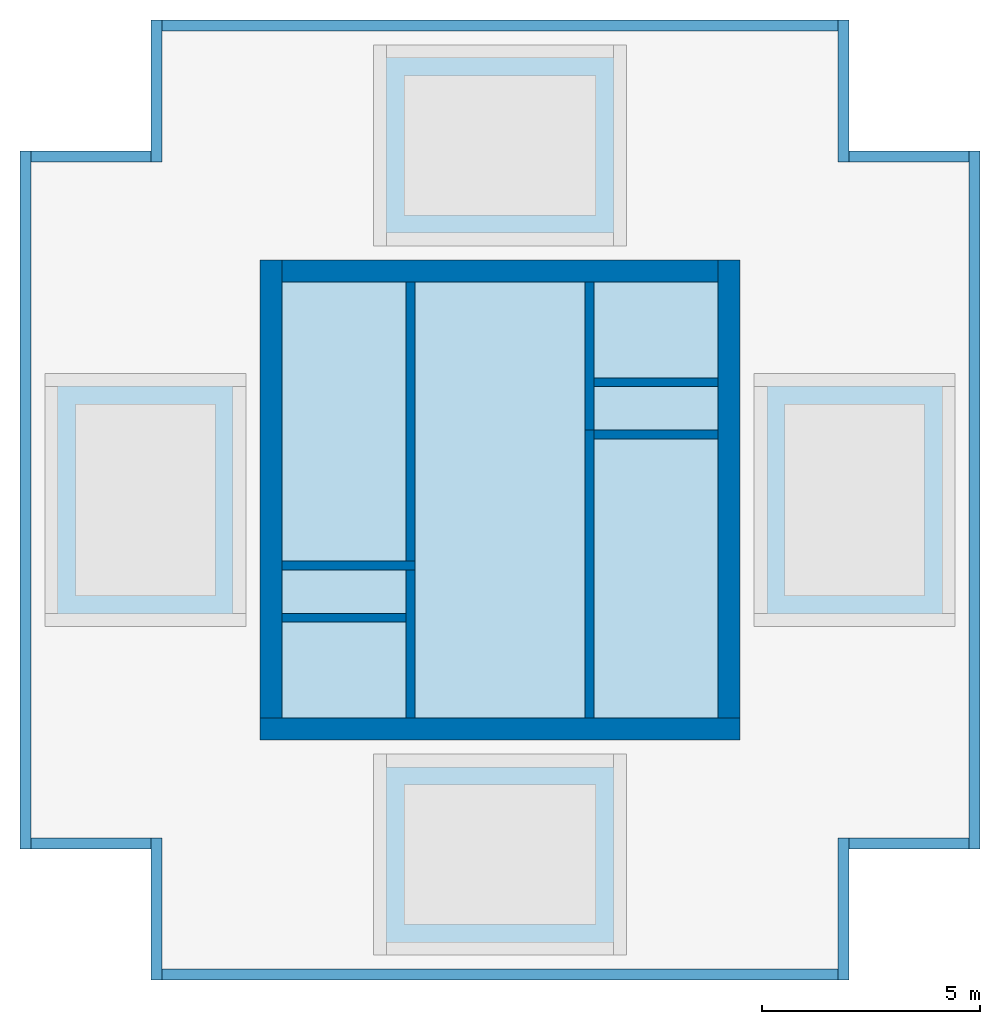
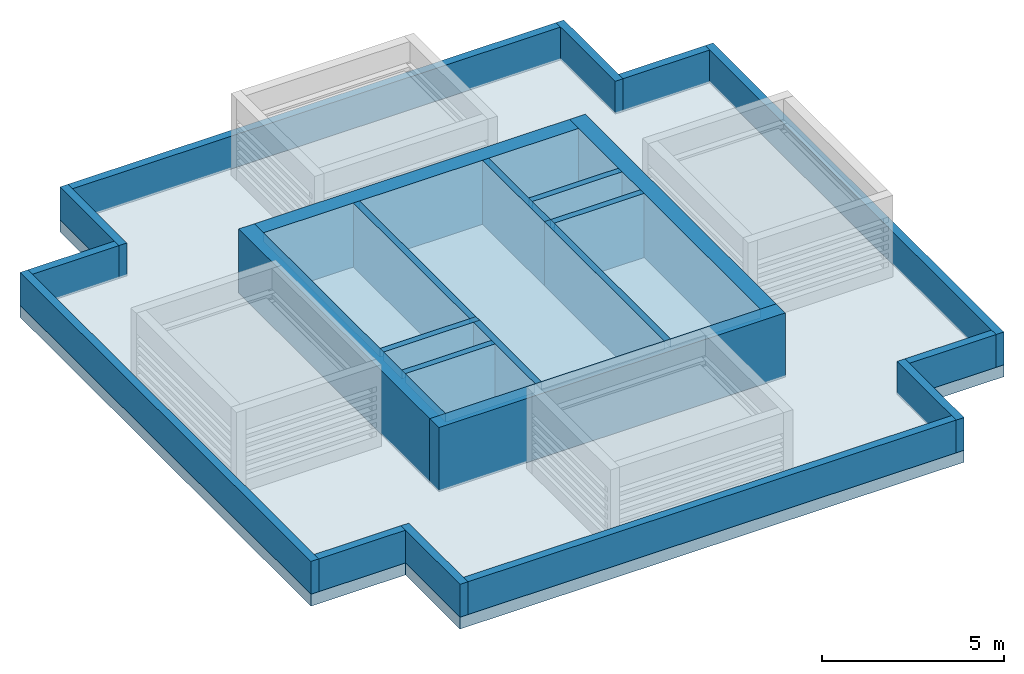
# One storey, part 1 of 3: 24 walls, 8 slabs.
"""IFC4 building model written with IfcOpenShell, lengths in metres."""

from ifc_helpers import new_model, si_unit, direction, frame, frame_2d, origin, place, context, subcontext, project, spatial, polyline, rectangle, outline, extrude, material, layer, layer_set, type_object, element, save


model = new_model("IFC4")

# Units and contexts
model_context = context("Model", 3, precision=1e-05, world=origin(), true_north=direction((0.0, 1.0)))
body_context = subcontext(model_context, "Body", "Model", "MODEL_VIEW")
ifc_project = project(units=[si_unit("LENGTHUNIT", "METRE"), si_unit("AREAUNIT", "SQUARE_METRE"), si_unit("VOLUMEUNIT", "CUBIC_METRE"), si_unit("PLANEANGLEUNIT", "RADIAN"), si_unit("MASSUNIT", "GRAM", prefix="KILO")], contexts=[model_context])

# Site, building, storey
site_placement = place(None, origin())
site = spatial("IfcSite", under=ifc_project, at=site_placement, CompositionType="ELEMENT")
building_placement = place(site_placement, origin())
building = spatial("IfcBuilding", under=site, at=building_placement, Name="Khepri Terraces", CompositionType="ELEMENT")
storey_placement = place(building_placement, frame((0.0, 0.0, 321.60009765625)))
storey = spatial("IfcBuildingStorey", under=building, at=storey_placement, Name="RF", CompositionType="ELEMENT", Elevation=321.60009765625)

# Slabs
ifc_material_1 = material(Name="Concrete C40/50", Category="concrete")
ifc_layer_1 = layer(ifc_material_1, 0.39990234375, Name="Concrete C40/50", Category="concrete")
ifc_layer_set_1 = layer_set([ifc_layer_1], Name="Concrete C40/50")
slab_type_1 = type_object("IfcSlabType", Name="Roof slab 400", PredefinedType="ROOF", material=ifc_layer_set_1)
slab_1_placement = place(storey_placement, frame((0.0, 0.0, -0.400146484375)))
element("IfcSlab", 1, at=slab_1_placement, inside=storey, type_object=slab_type_1, Name="Floor slab F01 RF", PredefinedType="ROOF", context=body_context, shape_type="SweptSolid", body=[
    extrude(outline(polyline([(8.0, -11.0), (-8.0, -11.0), (-8.0, -8.0), (-11.0, -8.0), (-11.0, 8.0), (-8.0, 8.0), (-8.0, 11.0), (8.0, 11.0), (8.0, 8.0), (11.0, 8.0), (11.0, -8.0), (8.0, -8.0), (8.0, -11.0)]), holes=[polyline([(2.14990234375, 5.0), (2.14990234375, 2.800048828125), (5.0, 2.800048828125), (5.0, 5.0), (2.14990234375, 5.0)]), polyline([(-2.14990234375, -2.800048828125), (-5.0, -2.800048828125), (-5.0, -5.0), (-2.14990234375, -5.0), (-2.14990234375, -2.800048828125)])]), origin(), (0.0, 0.0, 1.0), 0.400146484375),
])
ifc_material_2 = material(Name="Precast concrete C50/60 warm stone", Category="masonry")
ifc_layer_2 = layer(ifc_material_2, 0.300048828125, Name="Precast concrete C50/60 warm stone", Category="masonry")
ifc_layer_set_2 = layer_set([ifc_layer_2], Name="Precast concrete C50/60 warm stone")
slab_type_2 = type_object("IfcSlabType", Name="SLB-ROOF-CAP-300", PredefinedType="ROOF", material=ifc_layer_set_2)
slab_2_placement = place(storey_placement, frame((0.0, 0.0, 1.849853515625)))
element("IfcSlab", 2, at=slab_2_placement, inside=storey, type_object=slab_type_2, Name="Core head-house roof slab", PredefinedType="ROOF", context=body_context, shape_type="SweptSolid", body=[
    extrude(outline(polyline([(2.14990234375, -5.0), (5.0, -5.0), (5.0, 1.39990234375), (2.14990234375, 1.39990234375), (2.14990234375, -5.0)])), origin(), (0.0, 0.0, 1.0), 0.300048828125),
])
slab_3_placement = place(storey_placement, frame((0.0, 0.0, 1.849853515625)))
element("IfcSlab", 3, at=slab_3_placement, inside=storey, type_object=slab_type_2, Name="Core head-house roof slab", PredefinedType="ROOF", context=body_context, shape_type="SweptSolid", body=[
    extrude(outline(polyline([(5.0, 1.60009765625), (5.0, 2.60009765625), (2.14990234375, 2.60009765625), (2.14990234375, 1.60009765625), (5.0, 1.60009765625)])), origin(), (0.0, 0.0, 1.0), 0.300048828125),
])
slab_4_placement = place(storey_placement, frame((0.0, 0.0, 1.849853515625)))
element("IfcSlab", 4, at=slab_4_placement, inside=storey, type_object=slab_type_2, Name="Core head-house roof slab", PredefinedType="ROOF", context=body_context, shape_type="SweptSolid", body=[
    extrude(outline(polyline([(5.0, 5.0), (2.14990234375, 5.0), (2.14990234375, 2.800048828125), (5.0, 2.800048828125), (5.0, 5.0)])), origin(), (0.0, 0.0, 1.0), 0.300048828125),
])
slab_5_placement = place(storey_placement, frame((0.0, 0.0, 1.849853515625)))
element("IfcSlab", 5, at=slab_5_placement, inside=storey, type_object=slab_type_2, Name="Core head-house roof slab", PredefinedType="ROOF", context=body_context, shape_type="SweptSolid", body=[
    extrude(outline(polyline([(-1.949951171875, -5.0), (1.949951171875, -5.0), (1.949951171875, 5.0), (-1.949951171875, 5.0), (-1.949951171875, -5.0)])), origin(), (0.0, 0.0, 1.0), 0.300048828125),
])
slab_6_placement = place(storey_placement, frame((0.0, 0.0, 1.849853515625)))
element("IfcSlab", 6, at=slab_6_placement, inside=storey, type_object=slab_type_2, Name="Core head-house roof slab", PredefinedType="ROOF", context=body_context, shape_type="SweptSolid", body=[
    extrude(outline(polyline([(-5.0, 5.0), (-5.0, -1.39990234375), (-2.14990234375, -1.39990234375), (-2.14990234375, 5.0), (-5.0, 5.0)])), origin(), (0.0, 0.0, 1.0), 0.300048828125),
])
slab_7_placement = place(storey_placement, frame((0.0, 0.0, 1.849853515625)))
element("IfcSlab", 7, at=slab_7_placement, inside=storey, type_object=slab_type_2, Name="Core head-house roof slab", PredefinedType="ROOF", context=body_context, shape_type="SweptSolid", body=[
    extrude(outline(polyline([(-2.14990234375, -5.0), (-2.14990234375, -2.800048828125), (-5.0, -2.800048828125), (-5.0, -5.0), (-2.14990234375, -5.0)])), origin(), (0.0, 0.0, 1.0), 0.300048828125),
])
slab_8_placement = place(storey_placement, frame((0.0, 0.0, 1.849853515625)))
element("IfcSlab", 8, at=slab_8_placement, inside=storey, type_object=slab_type_2, Name="Core head-house roof slab", PredefinedType="ROOF", context=body_context, shape_type="SweptSolid", body=[
    extrude(outline(polyline([(-2.14990234375, -2.60009765625), (-2.14990234375, -1.60009765625), (-5.0, -1.60009765625), (-5.0, -2.60009765625), (-2.14990234375, -2.60009765625)])), origin(), (0.0, 0.0, 1.0), 0.300048828125),
])

# Walls
ifc_layer_3 = layer(ifc_material_1, 0.199951171875, Name="Concrete C40/50", Category="concrete")
ifc_layer_set_3 = layer_set([ifc_layer_3], Name="Concrete C40/50")
wall_type_1 = type_object("IfcWallType", Name="Core wall 200 C40/50", PredefinedType="SHEAR", material=ifc_layer_set_3)
wall_1_placement = place(storey_placement, frame((2.050048828125, -5.0, 0.0), z_axis=(0.0, 0.0, 1.0), x_axis=(0.0, 1.0, 0.0)))
element("IfcWall", 9, at=wall_1_placement, inside=storey, type_object=wall_type_1, Name="Core wall ST01 RF", PredefinedType="SHEAR", context=body_context, shape_type="SweptSolid", body=[
    extrude(rectangle(XDim=6.60009765625, YDim=0.199951171875, at=frame_2d((3.300048828125, 0.0))), origin(), (0.0, 0.0, 1.0), 2.14990234375),
])
wall_2_placement = place(storey_placement, frame((-5.0, -1.5, 0.0), z_axis=(0.0, 0.0, 1.0), x_axis=(1.0, 0.0, 0.0)))
element("IfcWall", 10, at=wall_2_placement, inside=storey, type_object=wall_type_1, Name="Core wall ST02 RF", PredefinedType="SHEAR", context=body_context, shape_type="SweptSolid", body=[
    extrude(rectangle(XDim=3.050048828125, YDim=0.199951171875, at=frame_2d((1.52490234375, 0.0))), origin(), (0.0, 0.0, 1.0), 2.14990234375),
])
wall_3_placement = place(storey_placement, frame((-2.050048828125, -1.39990234375, 0.0), z_axis=(0.0, 0.0, 1.0), x_axis=(0.0, 1.0, 0.0)))
element("IfcWall", 11, at=wall_3_placement, inside=storey, type_object=wall_type_1, Name="Core wall ST03 RF", PredefinedType="SHEAR", context=body_context, shape_type="SweptSolid", body=[
    extrude(rectangle(XDim=6.39990234375, YDim=0.199951171875, at=frame_2d((3.199951171875, 0.0))), origin(), (0.0, 0.0, 1.0), 2.14990234375),
])
wall_4_placement = place(storey_placement, frame((2.14990234375, 1.5, 0.0), z_axis=(0.0, 0.0, 1.0), x_axis=(1.0, 0.0, 0.0)))
element("IfcWall", 12, at=wall_4_placement, inside=storey, type_object=wall_type_1, Name="Core wall ST04 RF", PredefinedType="SHEAR", context=body_context, shape_type="SweptSolid", body=[
    extrude(rectangle(XDim=2.85009765625, YDim=0.199951171875, at=frame_2d((1.425048828125, 0.0))), origin(), (0.0, 0.0, 1.0), 2.14990234375),
])
wall_5_placement = place(storey_placement, frame((-2.050048828125, -5.0, 0.0), z_axis=(0.0, 0.0, 1.0), x_axis=(0.0, 1.0, 0.0)))
element("IfcWall", 13, at=wall_5_placement, inside=storey, type_object=wall_type_1, Name="Core wall SH01 RF", PredefinedType="SHEAR", context=body_context, shape_type="SweptSolid", body=[
    extrude(rectangle(XDim=3.39990234375, YDim=0.199951171875, at=frame_2d((1.699951171875, 0.0))), origin(), (0.0, 0.0, 1.0), 2.14990234375),
])
wall_6_placement = place(storey_placement, frame((-5.0, -2.699951171875, 0.0), z_axis=(0.0, 0.0, 1.0), x_axis=(1.0, 0.0, 0.0)))
element("IfcWall", 14, at=wall_6_placement, inside=storey, type_object=wall_type_1, Name="Core wall SH02 RF", PredefinedType="SHEAR", context=body_context, shape_type="SweptSolid", body=[
    extrude(rectangle(XDim=2.85009765625, YDim=0.199951171875, at=frame_2d((1.425048828125, 0.0))), origin(), (0.0, 0.0, 1.0), 2.14990234375),
])
wall_7_placement = place(storey_placement, frame((2.050048828125, 1.60009765625, 0.0), z_axis=(0.0, 0.0, 1.0), x_axis=(0.0, 1.0, 0.0)))
element("IfcWall", 15, at=wall_7_placement, inside=storey, type_object=wall_type_1, Name="Core wall SH03 RF", PredefinedType="SHEAR", context=body_context, shape_type="SweptSolid", body=[
    extrude(rectangle(XDim=3.39990234375, YDim=0.199951171875, at=frame_2d((1.699951171875, 0.0))), origin(), (0.0, 0.0, 1.0), 2.14990234375),
])
wall_8_placement = place(storey_placement, frame((2.14990234375, 2.699951171875, 0.0), z_axis=(0.0, 0.0, 1.0), x_axis=(1.0, 0.0, 0.0)))
element("IfcWall", 16, at=wall_8_placement, inside=storey, type_object=wall_type_1, Name="Core wall SH04 RF", PredefinedType="SHEAR", context=body_context, shape_type="SweptSolid", body=[
    extrude(rectangle(XDim=2.85009765625, YDim=0.199951171875, at=frame_2d((1.425048828125, 0.0))), origin(), (0.0, 0.0, 1.0), 2.14990234375),
])
ifc_layer_4 = layer(ifc_material_1, 0.5, Name="Concrete C40/50", Category="concrete")
ifc_layer_set_4 = layer_set([ifc_layer_4], Name="Concrete C40/50")
wall_type_2 = type_object("IfcWallType", Name="Core wall 500 C40/50", PredefinedType="SHEAR", material=ifc_layer_set_4)
wall_9_placement = place(storey_placement, frame((-5.5, -5.25, 0.0), z_axis=(0.0, 0.0, 1.0), x_axis=(1.0, 0.0, 0.0)))
element("IfcWall", 17, at=wall_9_placement, inside=storey, type_object=wall_type_2, Name="Core wall BX01 RF", PredefinedType="SHEAR", context=body_context, shape_type="SweptSolid", body=[
    extrude(rectangle(XDim=11.0, YDim=0.5, at=frame_2d((5.5, 0.0))), origin(), (0.0, 0.0, 1.0), 2.14990234375),
])
for number, where, z_axis, x_axis, name in (
    (18, (-5.25, -5.0, 0.0), (0.0, 0.0, 1.0), (0.0, 1.0, 0.0), "Core wall BX02 RF"),
    (19, (5.25, -5.0, 0.0), (0.0, 0.0, 1.0), (0.0, 1.0, 0.0), "Core wall BX03 RF"),
):
    element("IfcWall", number, at=place(storey_placement, frame(where, z_axis=z_axis, x_axis=x_axis)), inside=storey, type_object=wall_type_2, Name=name, PredefinedType="SHEAR", context=body_context, shape_type="SweptSolid", body=[
        extrude(rectangle(XDim=10.5, YDim=0.5, at=frame_2d((5.25, 0.0))), origin(), (0.0, 0.0, 1.0), 2.14990234375),
    ])
wall_10_placement = place(storey_placement, frame((-5.0, 5.25, 0.0), z_axis=(0.0, 0.0, 1.0), x_axis=(1.0, 0.0, 0.0)))
element("IfcWall", 20, at=wall_10_placement, inside=storey, type_object=wall_type_2, Name="Core wall BX04 RF", PredefinedType="SHEAR", context=body_context, shape_type="SweptSolid", body=[
    extrude(rectangle(XDim=10.0, YDim=0.5, at=frame_2d((5.0, 0.0))), origin(), (0.0, 0.0, 1.0), 2.14990234375),
])
ifc_layer_5 = layer(ifc_material_2, 0.25, Name="Precast concrete C50/60 warm stone", Category="masonry")
ifc_layer_set_5 = layer_set([ifc_layer_5], Name="Precast concrete C50/60 warm stone")
wall_type_3 = type_object("IfcWallType", Name="WL-PARAPET-250", PredefinedType="PARAPET", material=ifc_layer_set_5)
wall_11_placement = place(storey_placement, frame((-10.875, -8.0, 0.0), z_axis=(0.0, 0.0, 1.0), x_axis=(0.0, 1.0, 0.0)))
element("IfcWall", 21, at=wall_11_placement, inside=storey, type_object=wall_type_3, Name="Roof parapet", PredefinedType="PARAPET", context=body_context, shape_type="SweptSolid", body=[
    extrude(rectangle(XDim=16.0, YDim=0.25, at=frame_2d((8.0, 0.0))), origin(), (0.0, 0.0, 1.0), 1.099853515625),
])
for number, where, z_axis, x_axis, name in (
    (22, (-10.75, -7.875, 0.0), (0.0, 0.0, 1.0), (1.0, 0.0, 0.0), "Roof parapet"),
    (23, (-10.75, 7.875, 0.0), (0.0, 0.0, 1.0), (1.0, 0.0, 0.0), "Roof parapet"),
):
    element("IfcWall", number, at=place(storey_placement, frame(where, z_axis=z_axis, x_axis=x_axis)), inside=storey, type_object=wall_type_3, Name=name, PredefinedType="PARAPET", context=body_context, shape_type="SweptSolid", body=[
        extrude(rectangle(XDim=2.75, YDim=0.25, at=frame_2d((1.375, 0.0))), origin(), (0.0, 0.0, 1.0), 1.099853515625),
    ])
for number, where, z_axis, x_axis, name in (
    (24, (-7.875, -11.0, 0.0), (0.0, 0.0, 1.0), (0.0, 1.0, 0.0), "Roof parapet"),
    (25, (-7.875, 7.75, 0.0), (0.0, 0.0, 1.0), (0.0, 1.0, 0.0), "Roof parapet"),
):
    element("IfcWall", number, at=place(storey_placement, frame(where, z_axis=z_axis, x_axis=x_axis)), inside=storey, type_object=wall_type_3, Name=name, PredefinedType="PARAPET", context=body_context, shape_type="SweptSolid", body=[
        extrude(rectangle(XDim=3.25, YDim=0.25, at=frame_2d((1.625, 0.0))), origin(), (0.0, 0.0, 1.0), 1.099853515625),
    ])
for number, where, z_axis, x_axis, name in (
    (26, (-7.75, -10.875, 0.0), (0.0, 0.0, 1.0), (1.0, 0.0, 0.0), "Roof parapet"),
    (27, (-7.75, 10.875, 0.0), (0.0, 0.0, 1.0), (1.0, 0.0, 0.0), "Roof parapet"),
):
    element("IfcWall", number, at=place(storey_placement, frame(where, z_axis=z_axis, x_axis=x_axis)), inside=storey, type_object=wall_type_3, Name=name, PredefinedType="PARAPET", context=body_context, shape_type="SweptSolid", body=[
        extrude(rectangle(XDim=15.5, YDim=0.25, at=frame_2d((7.75, 0.0))), origin(), (0.0, 0.0, 1.0), 1.099853515625),
    ])
for number, where, z_axis, x_axis, name in (
    (28, (7.875, -11.0, 0.0), (0.0, 0.0, 1.0), (0.0, 1.0, 0.0), "Roof parapet"),
    (29, (7.875, 7.75, 0.0), (0.0, 0.0, 1.0), (0.0, 1.0, 0.0), "Roof parapet"),
):
    element("IfcWall", number, at=place(storey_placement, frame(where, z_axis=z_axis, x_axis=x_axis)), inside=storey, type_object=wall_type_3, Name=name, PredefinedType="PARAPET", context=body_context, shape_type="SweptSolid", body=[
        extrude(rectangle(XDim=3.25, YDim=0.25, at=frame_2d((1.625, 0.0))), origin(), (0.0, 0.0, 1.0), 1.099853515625),
    ])
for number, where, z_axis, x_axis, name in (
    (30, (8.0, 7.875, 0.0), (0.0, 0.0, 1.0), (1.0, 0.0, 0.0), "Roof parapet"),
    (31, (8.0, -7.875, 0.0), (0.0, 0.0, 1.0), (1.0, 0.0, 0.0), "Roof parapet"),
):
    element("IfcWall", number, at=place(storey_placement, frame(where, z_axis=z_axis, x_axis=x_axis)), inside=storey, type_object=wall_type_3, Name=name, PredefinedType="PARAPET", context=body_context, shape_type="SweptSolid", body=[
        extrude(rectangle(XDim=2.75, YDim=0.25, at=frame_2d((1.375, 0.0))), origin(), (0.0, 0.0, 1.0), 1.099853515625),
    ])
wall_12_placement = place(storey_placement, frame((10.875, -8.0, 0.0), z_axis=(0.0, 0.0, 1.0), x_axis=(0.0, 1.0, 0.0)))
element("IfcWall", 32, at=wall_12_placement, inside=storey, type_object=wall_type_3, Name="Roof parapet", PredefinedType="PARAPET", context=body_context, shape_type="SweptSolid", body=[
    extrude(rectangle(XDim=16.0, YDim=0.25, at=frame_2d((8.0, 0.0))), origin(), (0.0, 0.0, 1.0), 1.099853515625),
])

save(model, "model.ifc")
